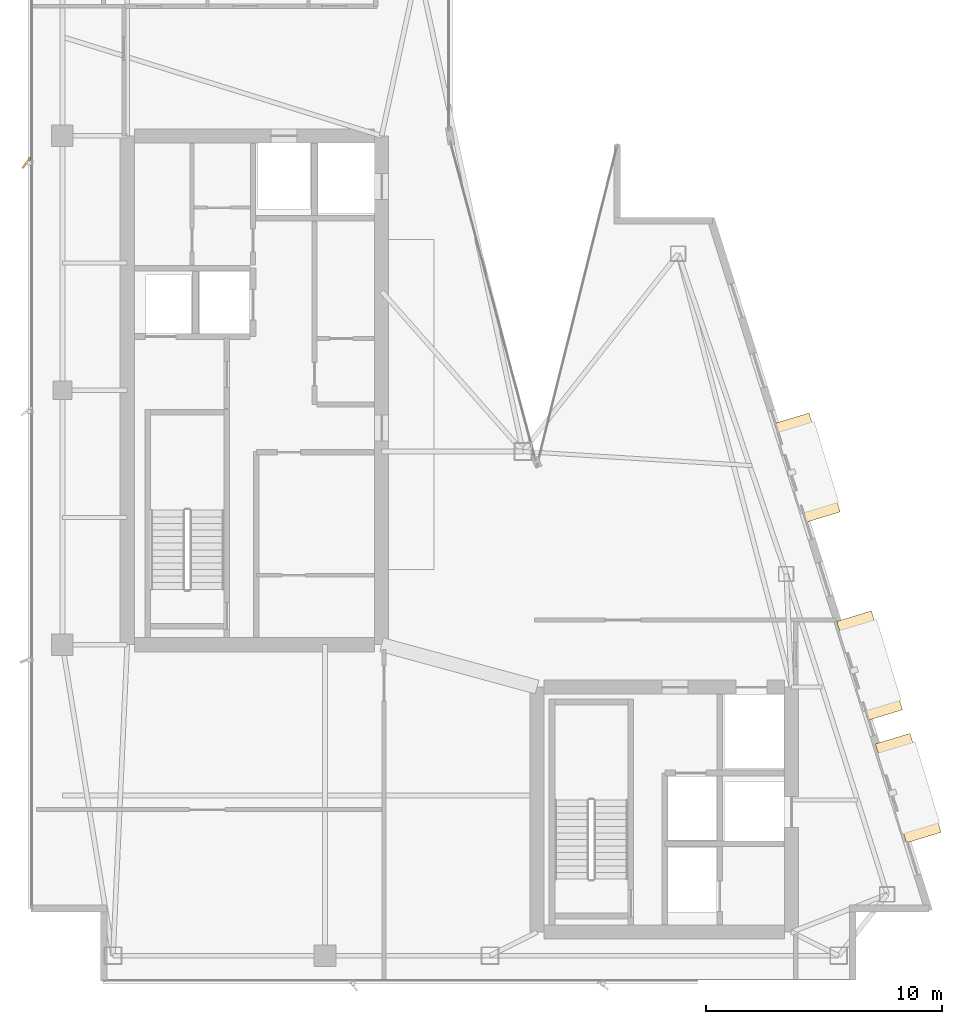
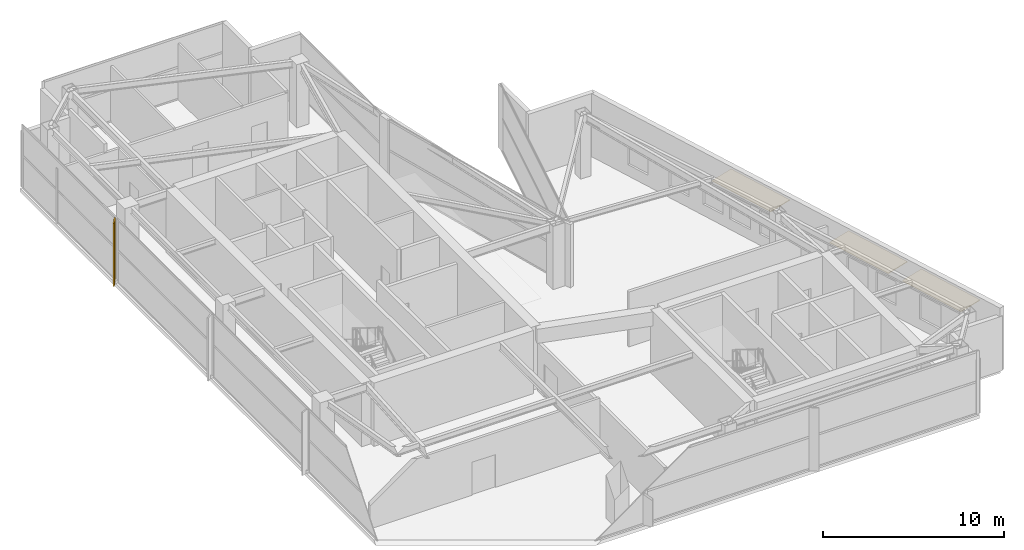
# One storey, part 25 of 25: 3 coverings, 1 shading device.
"""IFC4 building model written with IfcOpenShell, lengths in metres."""

from ifc_helpers import new_model, si_unit, direction, frame, origin, origin_2d, place, context, subcontext, project, spatial, polyline, rectangle, outline, extrude, material, layer, layer_set, type_object, element, save


model = new_model("IFC4")

# Units and contexts
model_context = context("Model", 3, precision=1e-05, world=origin(), true_north=direction((0.0, 1.0)))
body_context = subcontext(model_context, "Body", "Model", "MODEL_VIEW")
ifc_project = project(units=[si_unit("LENGTHUNIT", "METRE"), si_unit("AREAUNIT", "SQUARE_METRE"), si_unit("VOLUMEUNIT", "CUBIC_METRE"), si_unit("PLANEANGLEUNIT", "RADIAN"), si_unit("MASSUNIT", "GRAM", prefix="KILO")], contexts=[model_context])

# Site, building, storey
site_placement = place(None, origin())
site = spatial("IfcSite", under=ifc_project, at=site_placement, CompositionType="ELEMENT")
building_placement = place(site_placement, origin())
building = spatial("IfcBuilding", under=site, at=building_placement, Name="Calvorn Quay Hotel", CompositionType="ELEMENT")
storey_placement = place(building_placement, frame((0.0, 0.0, 311.5)))
storey = spatial("IfcBuildingStorey", under=building, at=storey_placement, Name="L77", CompositionType="ELEMENT", Elevation=311.5)

# Coverings
ifc_material_1 = material(Name="Pale Anodised Aluminium Rainscreen Cladding", Category="aluminium")
ifc_layer = layer(ifc_material_1, 0.044921875)
ifc_layer_set = layer_set([ifc_layer], Name="COV-CROWN-CLAD")
covering_type = type_object("IfcCoveringType", Name="COV-CROWN-CLAD", PredefinedType="CLADDING", material=ifc_layer_set)
covering_1_placement = place(storey_placement, frame((0.0, 0.0, 2.5048828125)))
element("IfcCovering", 1, at=covering_1_placement, inside=storey, type_object=covering_type, Name="Angled Bay Hood Canopy L77-HOOD-1", PredefinedType="CLADDING", context=body_context, shape_type="SweptSolid", body=[
    extrude(outline(polyline([(35.95703125, 12.587890625), (37.429931640625, 13.034912109375), (38.7529296875, 8.8349609375), (37.280029296875, 8.387939453125), (35.95703125, 12.587890625)])), origin(), (0.0, 0.0, 1.0), 0.045166015625),
])
covering_2_placement = place(storey_placement, frame((0.0, 0.0, 2.5048828125)))
element("IfcCovering", 2, at=covering_2_placement, inside=storey, type_object=covering_type, Name="Angled Bay Hood Canopy L77-HOOD-2", PredefinedType="CLADDING", context=body_context, shape_type="SweptSolid", body=[
    extrude(outline(polyline([(34.318115234375, 17.7880859375), (35.791015625, 18.235107421875), (37.114013671875, 14.034912109375), (35.64111328125, 13.587890625), (34.318115234375, 17.7880859375)])), origin(), (0.0, 0.0, 1.0), 0.045166015625),
])
covering_3_placement = place(storey_placement, frame((0.0, 0.0, 2.5048828125)))
element("IfcCovering", 3, at=covering_3_placement, inside=storey, type_object=covering_type, Name="Angled Bay Hood Canopy L77-HOOD-3", PredefinedType="CLADDING", context=body_context, shape_type="SweptSolid", body=[
    extrude(outline(polyline([(31.672119140625, 26.18798828125), (33.14501953125, 26.635009765625), (34.468017578125, 22.43505859375), (32.9951171875, 21.988037109375), (31.672119140625, 26.18798828125)])), origin(), (0.0, 0.0, 1.0), 0.045166015625),
])

# Shading device
ifc_material_2 = material(Name="Champagne Bronze Anodised Aluminium 6063-T6", Category="aluminium")
shading_device_type = type_object("IfcShadingDeviceType", Name="SHD-FIN-A3", PredefinedType="USERDEFINED", material=ifc_material_2)
shading_device_placement = place(storey_placement, frame((-0.080078125, 37.25, 0.0), z_axis=(0.0, 0.0, 1.0), x_axis=(0.587785252292, 0.809016994375, 0.0)))
element("IfcShadingDevice", 4, at=shading_device_placement, inside=storey, type_object=shading_device_type, Name="Diagonal Sun-Shading Fin L77-W03", ObjectType="FIN", PredefinedType="USERDEFINED", context=body_context, shape_type="SweptSolid", body=[
    extrude(rectangle(XDim=0.550048828125, YDim=0.080078125, at=origin_2d()), origin(), (0.0, 0.0, 1.0), 4.260009765625),
])

save(model, "model.ifc")
